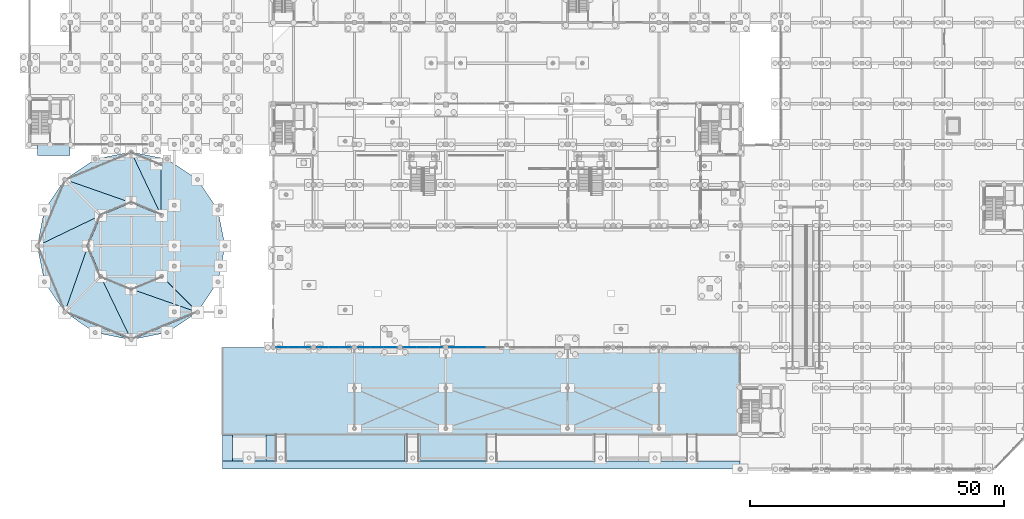
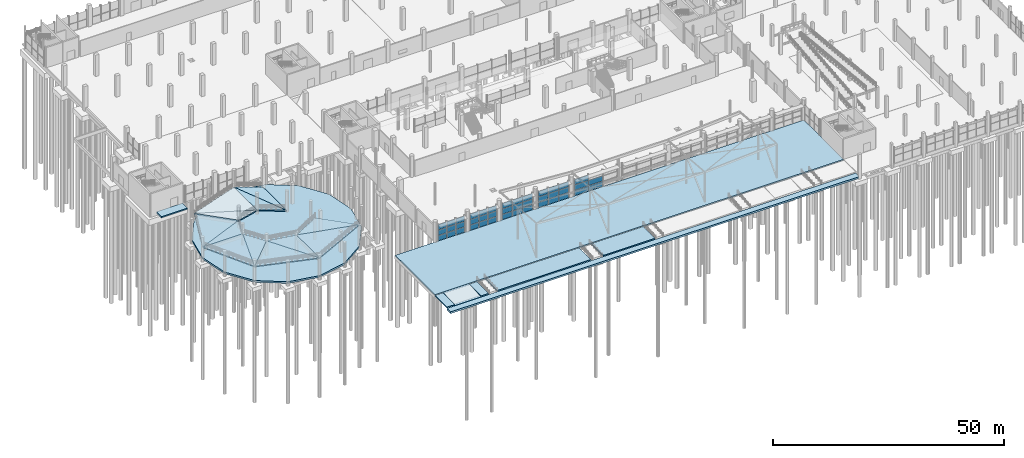
# One storey, part 64 of 98: 41 plates, 21 slabs, 5 elements without a shape of their own.
"""IFC4 building model written with IfcOpenShell, lengths in metres."""

import ifcopenshell
import ifcopenshell.guid

model = None  # the IFC model being written
_history = None  # IfcOwnerHistory: only IFC2X3 demands one
_inside = {}  # id of a spatial element -> (the spatial element, [elements in it])
_under = {}  # id of a project, library or spatial element -> (it, [spatial elements below it])
_declared = {}  # id of a project -> (the project, [libraries it declares])
_typed = {}  # id of a type object -> (the type object, [elements of that type])
_made_of = {}  # id of a material, layer set ... -> (it, [elements and type objects made of it])


def new_model(schema):
    """Start an empty IFC model of exactly this schema.

    Asked for "IFC4X3", IfcOpenShell would pick the latest addendum, in which some entities
    have other attributes; the version numbers below select the first issue.
    IFC2X3 requires an IfcOwnerHistory on every rooted entity: one is made here for all.
    """
    global model, _history
    if schema == "IFC4X3":
        model = ifcopenshell.file(schema_version=(4, 3, 0, 0))
    else:
        model = ifcopenshell.file(schema=schema)
    _inside.clear()
    _under.clear()
    _declared.clear()
    _typed.clear()
    _made_of.clear()
    _history = None
    if model.schema == "IFC2X3":
        org = make("IfcOrganization", Name="unknown")
        user = make(
            "IfcPersonAndOrganization",
            ThePerson=make("IfcPerson", FamilyName="unknown"),
            TheOrganization=org,
        )
        app = make(
            "IfcApplication",
            ApplicationDeveloper=org,
            Version="unknown",
            ApplicationFullName="unknown",
            ApplicationIdentifier="unknown",
        )
        _history = make(
            "IfcOwnerHistory",
            OwningUser=user,
            OwningApplication=app,
            ChangeAction="ADDED",
            CreationDate=0,
        )
    return model


def make(cls, **values):
    """One entity of the class cls with the attributes given. An attribute that is None is left unset."""
    return model.create_entity(
        cls, **{name: value for name, value in values.items() if value is not None}
    )


def rooted(cls, **values):
    """An entity with a GlobalId (a new one), such as an element, a storey or a relation."""
    return make(cls, GlobalId=ifcopenshell.guid.new(), OwnerHistory=_history, **values)


def si_unit(unit_type, name, prefix=None):
    """IfcSIUnit, for example si_unit("LENGTHUNIT", "METRE", prefix="MILLI")."""
    return make("IfcSIUnit", UnitType=unit_type, Prefix=prefix, Name=name)


def derived_unit(unit_type, elements):
    """IfcDerivedUnit: a product of units, each with its exponent."""
    return make(
        "IfcDerivedUnit",
        Elements=[
            make("IfcDerivedUnitElement", Unit=unit, Exponent=power)
            for unit, power in elements
        ],
        UnitType=unit_type,
    )


def assignment(units):
    """IfcUnitAssignment: the units of a project."""
    return None if units is None else make("IfcUnitAssignment", Units=units)


def point(xyz):
    """IfcCartesianPoint."""
    return None if xyz is None else make("IfcCartesianPoint", Coordinates=xyz)


def direction(xyz):
    """IfcDirection."""
    return None if xyz is None else make("IfcDirection", DirectionRatios=xyz)


def frame(location, z_axis=None, x_axis=None):
    """IfcAxis2Placement3D, a coordinate frame: its origin and axes. An axis left out is left unset."""
    return make(
        "IfcAxis2Placement3D",
        Location=point(location),
        Axis=direction(z_axis),
        RefDirection=direction(x_axis),
    )


def frame_2d(location, x_axis=None):
    """IfcAxis2Placement2D, a coordinate frame in the plane: its origin and x axis."""
    return make(
        "IfcAxis2Placement2D", Location=point(location), RefDirection=direction(x_axis)
    )


def origin():
    """The frame at (0, 0, 0) with its axes left unset."""
    return frame((0.0, 0.0, 0.0))


def origin_2d():
    """The frame at (0, 0) in the plane with its x axis left unset."""
    return frame_2d((0.0, 0.0))


def place(relative_to, where):
    """IfcLocalPlacement: puts the frame where relative to a parent placement (None: the world)."""
    return make(
        "IfcLocalPlacement", PlacementRelTo=relative_to, RelativePlacement=where
    )


def context(
    kind, dimensions, precision=None, world=None, true_north=None, identifier=None
):
    """IfcGeometricRepresentationContext, for example the 3D "Model" context."""
    return make(
        "IfcGeometricRepresentationContext",
        ContextIdentifier=identifier,
        ContextType=kind,
        CoordinateSpaceDimension=dimensions,
        Precision=precision,
        WorldCoordinateSystem=world,
        TrueNorth=true_north,
    )


def subcontext(parent, identifier, kind, view, scale=None):
    """IfcGeometricRepresentationSubContext, for example "Body" below "Model"."""
    return make(
        "IfcGeometricRepresentationSubContext",
        ContextIdentifier=identifier,
        ContextType=kind,
        ParentContext=parent,
        TargetScale=scale,
        TargetView=view,
    )


def project(units=None, contexts=None):
    """IfcProject with its units and contexts."""
    return rooted(
        "IfcProject",
        Name="project",
        RepresentationContexts=contexts,
        UnitsInContext=assignment(units),
    )


def spatial(cls, under=None, at=None, **own):
    """A site, building, storey or space (cls), placed at a placement, below another one or the project."""
    s = rooted(cls, ObjectPlacement=at, **own)
    if under is not None:
        _under.setdefault(under.id(), (under, []))[1].append(s)
    return s


def polyline(points):
    """IfcPolyline through the points."""
    return make("IfcPolyline", Points=[point(p) for p in points])


def profile(cls, at=None, kind="AREA", **sizes):
    """A parametric profile (cls). Its sizes go by their IFC names, for example OverallWidth=200.0."""
    return make(cls, ProfileType=kind, Position=at, **sizes)


def rectangle(**sizes):
    """IfcRectangleProfileDef."""
    return profile("IfcRectangleProfileDef", **sizes)


def outline(outer, holes=None, kind="AREA"):
    """IfcArbitraryClosedProfileDef: a profile drawn as a closed curve; with holes, ...WithVoids."""
    if holes is None:
        return make("IfcArbitraryClosedProfileDef", ProfileType=kind, OuterCurve=outer)
    return make(
        "IfcArbitraryProfileDefWithVoids",
        ProfileType=kind,
        OuterCurve=outer,
        InnerCurves=holes,
    )


def extrude(swept, where, along, depth):
    """IfcExtrudedAreaSolid: the profile swept, set in the frame where, extruded along a direction by depth."""
    return make(
        "IfcExtrudedAreaSolid",
        SweptArea=swept,
        Position=where,
        ExtrudedDirection=direction(along),
        Depth=depth,
    )


def shape(context_of_items, identifier, shape_type, items):
    """IfcShapeRepresentation: the items that make up one representation, for example the "Body"."""
    return make(
        "IfcShapeRepresentation",
        ContextOfItems=context_of_items,
        RepresentationIdentifier=identifier,
        RepresentationType=shape_type,
        Items=items,
    )


def material(Name=None, Category=None):
    """IfcMaterial."""
    return make("IfcMaterial", Name=Name, Category=Category)


def layer(
    of_material, thickness, ventilated=None, Name=None, Category=None, Priority=None
):
    """IfcMaterialLayer: one layer of a wall or slab, of a material (None: an air gap)."""
    return make(
        "IfcMaterialLayer",
        Material=of_material,
        LayerThickness=thickness,
        IsVentilated=ventilated,
        Name=Name,
        Category=Category,
        Priority=Priority,
    )


def layer_set(layers, Name=None):
    """IfcMaterialLayerSet."""
    return make("IfcMaterialLayerSet", MaterialLayers=layers, LayerSetName=Name)


def made_of(thing, what):
    """Note that an element or type object is made of a material, layer set ...; save() writes the relation."""
    if what is not None:
        _made_of.setdefault(what.id(), (what, []))[1].append(thing)
    return thing


def type_object(cls, material=None, **own):
    """A type object (cls), such as IfcWallType, which elements share."""
    return made_of(rooted(cls, **own), material)


def element(
    cls,
    number,
    at=None,
    inside=None,
    cuts=None,
    type_object=None,
    material=None,
    context=None,
    identifier="Body",
    shape_type=None,
    held_by="IfcProductDefinitionShape",
    body=None,
    shapes=None,
    **own,
):
    """One element of the class cls, such as IfcWall. Its Tag is "e" and its number.

    at: its placement. inside: the storey or other place that contains it. cuts: it is an
    opening in that element (IfcRelVoidsElement). A single representation is given by context,
    identifier, shape_type and body (its items); several are given by shapes. held_by: the class
    of the entity that holds the representations. save() writes the other relations.
    """
    e = rooted(cls, Tag="e%d" % number, ObjectPlacement=at, **own)
    if body is not None:
        shapes = [shape(context, identifier, shape_type, body)]
    if shapes is not None:
        e.Representation = make(held_by, Representations=shapes)
    if inside is not None:
        _inside.setdefault(inside.id(), (inside, []))[1].append(e)
    if cuts is not None:
        rooted(
            "IfcRelVoidsElement", RelatingBuildingElement=cuts, RelatedOpeningElement=e
        )
    if type_object is not None:
        _typed.setdefault(type_object.id(), (type_object, []))[1].append(e)
    return made_of(e, material)


def aggregate(whole, parts):
    """IfcRelAggregates: a whole, such as a stair, and the parts it consists of."""
    return rooted("IfcRelAggregates", RelatingObject=whole, RelatedObjects=parts)


def save(model, path):
    """Write the relations noted so far, then the file.

    IfcRelAggregates (storeys below a building ...), IfcRelContainedInSpatialStructure (elements
    in a storey), IfcRelDefinesByType, IfcRelAssociatesMaterial and IfcRelDeclares: one each for
    every whole, place, type object, material and project.
    """
    for whole, parts in _under.values():
        aggregate(whole, parts)
    for where, things in _inside.values():
        rooted(
            "IfcRelContainedInSpatialStructure",
            RelatedElements=things,
            RelatingStructure=where,
        )
    for kind, things in _typed.values():
        rooted("IfcRelDefinesByType", RelatedObjects=things, RelatingType=kind)
    for what, things in _made_of.values():
        rooted("IfcRelAssociatesMaterial", RelatedObjects=things, RelatingMaterial=what)
    for by, libraries in _declared.values():
        rooted("IfcRelDeclares", RelatingContext=by, RelatedDefinitions=libraries)
    model.write(path)


model = new_model("IFC4")

# Units and contexts
model_context = context("Model", 3, precision=1e-05, world=origin(), true_north=direction((0.0, 1.0)))
body_context = subcontext(model_context, "Body", "Model", "MODEL_VIEW")
ifc_project = project(units=[si_unit("LENGTHUNIT", "METRE"), si_unit("AREAUNIT", "SQUARE_METRE"), si_unit("VOLUMEUNIT", "CUBIC_METRE"), si_unit("PLANEANGLEUNIT", "RADIAN"), si_unit("MASSUNIT", "GRAM", prefix="KILO"), si_unit("THERMODYNAMICTEMPERATUREUNIT", "KELVIN"), derived_unit("THERMALTRANSMITTANCEUNIT", [(si_unit("POWERUNIT", "WATT"), 1), (si_unit("AREAUNIT", "SQUARE_METRE"), -1), (si_unit("THERMODYNAMICTEMPERATUREUNIT", "KELVIN"), -1)])], contexts=[model_context])

# Site, building, storey
site_placement = place(None, origin())
site = spatial("IfcSite", under=ifc_project, at=site_placement, CompositionType="ELEMENT")
building_placement = place(site_placement, origin())
building = spatial("IfcBuilding", under=site, at=building_placement, Name="Haiyu Intermodal Mobility Hub", CompositionType="ELEMENT")
storey_placement = place(building_placement, origin())
storey = spatial("IfcBuildingStorey", under=building, at=storey_placement, Name="L00", CompositionType="ELEMENT", Elevation=0.0)

# Curtain wall, plates
ifc_material_1 = material(Name="Low-e laminated insulating glass", Category="glass")
ifc_layer_1 = layer(ifc_material_1, 0.219970703125)
ifc_layer_set_1 = layer_set([ifc_layer_1], Name="Low-e laminated insulating glass")
curtain_wall_type = type_object("IfcCurtainWallType", Name="CW-CW01", PredefinedType="NOTDEFINED", material=ifc_layer_set_1)
curtain_wall_1_placement = place(storey_placement, origin())
curtain_wall_1 = element("IfcCurtainWall", 1, at=curtain_wall_1_placement, inside=storey, type_object=curtain_wall_type, Name="Curtain Wall CW-V1S-L00-001", PredefinedType="NOTDEFINED")
ifc_layer_2 = layer(ifc_material_1, 0.035888671875)
ifc_layer_set_2 = layer_set([ifc_layer_2], Name="Low-e laminated insulating glass")
plate_type_1 = type_object("IfcPlateType", Name="PLT-CP01", PredefinedType="CURTAIN_PANEL", material=ifc_layer_set_2)
plate_1_placement = place(storey_placement, frame((63.77294921875, 40.0, 0.03515625), z_axis=(0.0, 0.0, 1.0), x_axis=(1.0, 0.0, 0.0)))
plate_1 = element("IfcPlate", 2, at=plate_1_placement, type_object=plate_type_1, Name="CW-V1S-L00-001-PN01", PredefinedType="CURTAIN_PANEL", context=body_context, shape_type="SweptSolid", body=[
    extrude(rectangle(XDim=2.136962890625, YDim=0.035888671875, at=origin_2d()), origin(), (0.0, 0.0, 1.0), 1.3798828125),
])
plate_2_placement = place(storey_placement, frame((63.77294921875, 40.0, 1.485107421875), z_axis=(0.0, 0.0, 1.0), x_axis=(1.0, 0.0, 0.0)))
plate_2 = element("IfcPlate", 3, at=plate_2_placement, type_object=plate_type_1, Name="CW-V1S-L00-001-PN02", PredefinedType="CURTAIN_PANEL", context=body_context, shape_type="SweptSolid", body=[
    extrude(rectangle(XDim=2.136962890625, YDim=0.035888671875, at=origin_2d()), origin(), (0.0, 0.0, 1.0), 1.3798828125),
])
plate_3_placement = place(storey_placement, frame((66.0, 40.0, 0.03515625), z_axis=(0.0, 0.0, 1.0), x_axis=(1.0, 0.0, 0.0)))
plate_3 = element("IfcPlate", 4, at=plate_3_placement, type_object=plate_type_1, Name="CW-V1S-L00-001-PN04", PredefinedType="CURTAIN_PANEL", context=body_context, shape_type="SweptSolid", body=[
    extrude(rectangle(XDim=2.136962890625, YDim=0.035888671875, at=origin_2d()), origin(), (0.0, 0.0, 1.0), 1.3798828125),
])
plate_4_placement = place(storey_placement, frame((66.0, 40.0, 1.485107421875), z_axis=(0.0, 0.0, 1.0), x_axis=(1.0, 0.0, 0.0)))
plate_4 = element("IfcPlate", 5, at=plate_4_placement, type_object=plate_type_1, Name="CW-V1S-L00-001-PN05", PredefinedType="CURTAIN_PANEL", context=body_context, shape_type="SweptSolid", body=[
    extrude(rectangle(XDim=2.136962890625, YDim=0.035888671875, at=origin_2d()), origin(), (0.0, 0.0, 1.0), 1.3798828125),
])
plate_5_placement = place(storey_placement, frame((68.22705078125, 40.0, 0.03515625), z_axis=(0.0, 0.0, 1.0), x_axis=(1.0, 0.0, 0.0)))
plate_5 = element("IfcPlate", 6, at=plate_5_placement, type_object=plate_type_1, Name="CW-V1S-L00-001-PN07", PredefinedType="CURTAIN_PANEL", context=body_context, shape_type="SweptSolid", body=[
    extrude(rectangle(XDim=2.136962890625, YDim=0.035888671875, at=origin_2d()), origin(), (0.0, 0.0, 1.0), 1.3798828125),
])
plate_6_placement = place(storey_placement, frame((68.22705078125, 40.0, 1.485107421875), z_axis=(0.0, 0.0, 1.0), x_axis=(1.0, 0.0, 0.0)))
plate_6 = element("IfcPlate", 7, at=plate_6_placement, type_object=plate_type_1, Name="CW-V1S-L00-001-PN08", PredefinedType="CURTAIN_PANEL", context=body_context, shape_type="SweptSolid", body=[
    extrude(rectangle(XDim=2.136962890625, YDim=0.035888671875, at=origin_2d()), origin(), (0.0, 0.0, 1.0), 1.3798828125),
])

curtain_wall_2_placement = place(storey_placement, origin())
curtain_wall_2 = element("IfcCurtainWall", 8, at=curtain_wall_2_placement, inside=storey, type_object=curtain_wall_type, Name="Curtain Wall CW-V1S-L00-003", PredefinedType="NOTDEFINED")
plate_7_placement = place(storey_placement, frame((71.77294921875, 40.0, 0.03515625), z_axis=(0.0, 0.0, 1.0), x_axis=(1.0, 0.0, 0.0)))
plate_7 = element("IfcPlate", 9, at=plate_7_placement, type_object=plate_type_1, Name="CW-V1S-L00-003-PN01", PredefinedType="CURTAIN_PANEL", context=body_context, shape_type="SweptSolid", body=[
    extrude(rectangle(XDim=2.136962890625, YDim=0.035888671875, at=origin_2d()), origin(), (0.0, 0.0, 1.0), 1.3798828125),
])
plate_8_placement = place(storey_placement, frame((71.77294921875, 40.0, 1.485107421875), z_axis=(0.0, 0.0, 1.0), x_axis=(1.0, 0.0, 0.0)))
plate_8 = element("IfcPlate", 10, at=plate_8_placement, type_object=plate_type_1, Name="CW-V1S-L00-003-PN02", PredefinedType="CURTAIN_PANEL", context=body_context, shape_type="SweptSolid", body=[
    extrude(rectangle(XDim=2.136962890625, YDim=0.035888671875, at=origin_2d()), origin(), (0.0, 0.0, 1.0), 1.3798828125),
])
plate_9_placement = place(storey_placement, frame((74.0, 40.0, 0.03515625), z_axis=(0.0, 0.0, 1.0), x_axis=(1.0, 0.0, 0.0)))
plate_9 = element("IfcPlate", 11, at=plate_9_placement, type_object=plate_type_1, Name="CW-V1S-L00-003-PN04", PredefinedType="CURTAIN_PANEL", context=body_context, shape_type="SweptSolid", body=[
    extrude(rectangle(XDim=2.136962890625, YDim=0.035888671875, at=origin_2d()), origin(), (0.0, 0.0, 1.0), 1.3798828125),
])
plate_10_placement = place(storey_placement, frame((74.0, 40.0, 1.485107421875), z_axis=(0.0, 0.0, 1.0), x_axis=(1.0, 0.0, 0.0)))
plate_10 = element("IfcPlate", 12, at=plate_10_placement, type_object=plate_type_1, Name="CW-V1S-L00-003-PN05", PredefinedType="CURTAIN_PANEL", context=body_context, shape_type="SweptSolid", body=[
    extrude(rectangle(XDim=2.136962890625, YDim=0.035888671875, at=origin_2d()), origin(), (0.0, 0.0, 1.0), 1.3798828125),
])
plate_11_placement = place(storey_placement, frame((76.22705078125, 40.0, 0.03515625), z_axis=(0.0, 0.0, 1.0), x_axis=(1.0, 0.0, 0.0)))
plate_11 = element("IfcPlate", 13, at=plate_11_placement, type_object=plate_type_1, Name="CW-V1S-L00-003-PN07", PredefinedType="CURTAIN_PANEL", context=body_context, shape_type="SweptSolid", body=[
    extrude(rectangle(XDim=2.136962890625, YDim=0.035888671875, at=origin_2d()), origin(), (0.0, 0.0, 1.0), 1.3798828125),
])
plate_12_placement = place(storey_placement, frame((76.22705078125, 40.0, 1.485107421875), z_axis=(0.0, 0.0, 1.0), x_axis=(1.0, 0.0, 0.0)))
plate_12 = element("IfcPlate", 14, at=plate_12_placement, type_object=plate_type_1, Name="CW-V1S-L00-003-PN08", PredefinedType="CURTAIN_PANEL", context=body_context, shape_type="SweptSolid", body=[
    extrude(rectangle(XDim=2.136962890625, YDim=0.035888671875, at=origin_2d()), origin(), (0.0, 0.0, 1.0), 1.3798828125),
])

curtain_wall_3_placement = place(storey_placement, origin())
curtain_wall_3 = element("IfcCurtainWall", 15, at=curtain_wall_3_placement, inside=storey, type_object=curtain_wall_type, Name="Curtain Wall CW-V1S-L00-005", PredefinedType="NOTDEFINED")
plate_13_placement = place(storey_placement, frame((79.93994140625, 40.0, 0.03515625), z_axis=(0.0, 0.0, 1.0), x_axis=(1.0, 0.0, 0.0)))
plate_13 = element("IfcPlate", 16, at=plate_13_placement, type_object=plate_type_1, Name="CW-V1S-L00-005-PN01", PredefinedType="CURTAIN_PANEL", context=body_context, shape_type="SweptSolid", body=[
    extrude(rectangle(XDim=2.469970703125, YDim=0.035888671875, at=origin_2d()), origin(), (0.0, 0.0, 1.0), 1.3798828125),
])
plate_14_placement = place(storey_placement, frame((79.93994140625, 40.0, 1.485107421875), z_axis=(0.0, 0.0, 1.0), x_axis=(1.0, 0.0, 0.0)))
plate_14 = element("IfcPlate", 17, at=plate_14_placement, type_object=plate_type_1, Name="CW-V1S-L00-005-PN02", PredefinedType="CURTAIN_PANEL", context=body_context, shape_type="SweptSolid", body=[
    extrude(rectangle(XDim=2.469970703125, YDim=0.035888671875, at=origin_2d()), origin(), (0.0, 0.0, 1.0), 1.3798828125),
])
plate_15_placement = place(storey_placement, frame((82.5, 40.0, 0.03515625), z_axis=(0.0, 0.0, 1.0), x_axis=(1.0, 0.0, 0.0)))
plate_15 = element("IfcPlate", 18, at=plate_15_placement, type_object=plate_type_1, Name="CW-V1S-L00-005-PN04", PredefinedType="CURTAIN_PANEL", context=body_context, shape_type="SweptSolid", body=[
    extrude(rectangle(XDim=2.469970703125, YDim=0.035888671875, at=origin_2d()), origin(), (0.0, 0.0, 1.0), 1.3798828125),
])
plate_16_placement = place(storey_placement, frame((82.5, 40.0, 1.485107421875), z_axis=(0.0, 0.0, 1.0), x_axis=(1.0, 0.0, 0.0)))
plate_16 = element("IfcPlate", 19, at=plate_16_placement, type_object=plate_type_1, Name="CW-V1S-L00-005-PN05", PredefinedType="CURTAIN_PANEL", context=body_context, shape_type="SweptSolid", body=[
    extrude(rectangle(XDim=2.469970703125, YDim=0.035888671875, at=origin_2d()), origin(), (0.0, 0.0, 1.0), 1.3798828125),
])
plate_17_placement = place(storey_placement, frame((85.06005859375, 40.0, 0.03515625), z_axis=(0.0, 0.0, 1.0), x_axis=(1.0, 0.0, 0.0)))
plate_17 = element("IfcPlate", 20, at=plate_17_placement, type_object=plate_type_1, Name="CW-V1S-L00-005-PN07", PredefinedType="CURTAIN_PANEL", context=body_context, shape_type="SweptSolid", body=[
    extrude(rectangle(XDim=2.469970703125, YDim=0.035888671875, at=origin_2d()), origin(), (0.0, 0.0, 1.0), 1.3798828125),
])
plate_18_placement = place(storey_placement, frame((85.06005859375, 40.0, 1.485107421875), z_axis=(0.0, 0.0, 1.0), x_axis=(1.0, 0.0, 0.0)))
plate_18 = element("IfcPlate", 21, at=plate_18_placement, type_object=plate_type_1, Name="CW-V1S-L00-005-PN08", PredefinedType="CURTAIN_PANEL", context=body_context, shape_type="SweptSolid", body=[
    extrude(rectangle(XDim=2.469970703125, YDim=0.035888671875, at=origin_2d()), origin(), (0.0, 0.0, 1.0), 1.3798828125),
])

curtain_wall_4_placement = place(storey_placement, origin())
curtain_wall_4 = element("IfcCurtainWall", 22, at=curtain_wall_4_placement, inside=storey, type_object=curtain_wall_type, Name="Curtain Wall CW-V1S-L00-007", PredefinedType="NOTDEFINED")
plate_19_placement = place(storey_placement, frame((88.93994140625, 40.0, 0.03515625), z_axis=(0.0, 0.0, 1.0), x_axis=(1.0, 0.0, 0.0)))
plate_19 = element("IfcPlate", 23, at=plate_19_placement, type_object=plate_type_1, Name="CW-V1S-L00-007-PN01", PredefinedType="CURTAIN_PANEL", context=body_context, shape_type="SweptSolid", body=[
    extrude(rectangle(XDim=2.469970703125, YDim=0.035888671875, at=origin_2d()), origin(), (0.0, 0.0, 1.0), 1.3798828125),
])
plate_20_placement = place(storey_placement, frame((88.93994140625, 40.0, 1.485107421875), z_axis=(0.0, 0.0, 1.0), x_axis=(1.0, 0.0, 0.0)))
plate_20 = element("IfcPlate", 24, at=plate_20_placement, type_object=plate_type_1, Name="CW-V1S-L00-007-PN02", PredefinedType="CURTAIN_PANEL", context=body_context, shape_type="SweptSolid", body=[
    extrude(rectangle(XDim=2.469970703125, YDim=0.035888671875, at=origin_2d()), origin(), (0.0, 0.0, 1.0), 1.3798828125),
])
plate_21_placement = place(storey_placement, frame((91.5, 40.0, 0.03515625), z_axis=(0.0, 0.0, 1.0), x_axis=(1.0, 0.0, 0.0)))
plate_21 = element("IfcPlate", 25, at=plate_21_placement, type_object=plate_type_1, Name="CW-V1S-L00-007-PN04", PredefinedType="CURTAIN_PANEL", context=body_context, shape_type="SweptSolid", body=[
    extrude(rectangle(XDim=2.469970703125, YDim=0.035888671875, at=origin_2d()), origin(), (0.0, 0.0, 1.0), 1.3798828125),
])
plate_22_placement = place(storey_placement, frame((91.5, 40.0, 1.485107421875), z_axis=(0.0, 0.0, 1.0), x_axis=(1.0, 0.0, 0.0)))
plate_22 = element("IfcPlate", 26, at=plate_22_placement, type_object=plate_type_1, Name="CW-V1S-L00-007-PN05", PredefinedType="CURTAIN_PANEL", context=body_context, shape_type="SweptSolid", body=[
    extrude(rectangle(XDim=2.469970703125, YDim=0.035888671875, at=origin_2d()), origin(), (0.0, 0.0, 1.0), 1.3798828125),
])
plate_23_placement = place(storey_placement, frame((94.06005859375, 40.0, 0.03515625), z_axis=(0.0, 0.0, 1.0), x_axis=(1.0, 0.0, 0.0)))
plate_23 = element("IfcPlate", 27, at=plate_23_placement, type_object=plate_type_1, Name="CW-V1S-L00-007-PN07", PredefinedType="CURTAIN_PANEL", context=body_context, shape_type="SweptSolid", body=[
    extrude(rectangle(XDim=2.469970703125, YDim=0.035888671875, at=origin_2d()), origin(), (0.0, 0.0, 1.0), 1.3798828125),
])
plate_24_placement = place(storey_placement, frame((94.06005859375, 40.0, 1.485107421875), z_axis=(0.0, 0.0, 1.0), x_axis=(1.0, 0.0, 0.0)))
plate_24 = element("IfcPlate", 28, at=plate_24_placement, type_object=plate_type_1, Name="CW-V1S-L00-007-PN08", PredefinedType="CURTAIN_PANEL", context=body_context, shape_type="SweptSolid", body=[
    extrude(rectangle(XDim=2.469970703125, YDim=0.035888671875, at=origin_2d()), origin(), (0.0, 0.0, 1.0), 1.3798828125),
])

curtain_wall_5_placement = place(storey_placement, origin())
curtain_wall_5 = element("IfcCurtainWall", 29, at=curtain_wall_5_placement, inside=storey, type_object=curtain_wall_type, Name="Curtain Wall CW-V1S-L00-009", PredefinedType="NOTDEFINED")
plate_25_placement = place(storey_placement, frame((98.43994140625, 40.0, 0.03515625), z_axis=(0.0, 0.0, 1.0), x_axis=(1.0, 0.0, 0.0)))
plate_25 = element("IfcPlate", 30, at=plate_25_placement, type_object=plate_type_1, Name="CW-V1S-L00-009-PN01", PredefinedType="CURTAIN_PANEL", context=body_context, shape_type="SweptSolid", body=[
    extrude(rectangle(XDim=3.469970703125, YDim=0.035888671875, at=origin_2d()), origin(), (0.0, 0.0, 1.0), 1.3798828125),
])
plate_26_placement = place(storey_placement, frame((98.43994140625, 40.0, 1.485107421875), z_axis=(0.0, 0.0, 1.0), x_axis=(1.0, 0.0, 0.0)))
plate_26 = element("IfcPlate", 31, at=plate_26_placement, type_object=plate_type_1, Name="CW-V1S-L00-009-PN02", PredefinedType="CURTAIN_PANEL", context=body_context, shape_type="SweptSolid", body=[
    extrude(rectangle(XDim=3.469970703125, YDim=0.035888671875, at=origin_2d()), origin(), (0.0, 0.0, 1.0), 1.3798828125),
])
plate_27_placement = place(storey_placement, frame((102.0, 40.0, 0.03515625), z_axis=(0.0, 0.0, 1.0), x_axis=(1.0, 0.0, 0.0)))
plate_27 = element("IfcPlate", 32, at=plate_27_placement, type_object=plate_type_1, Name="CW-V1S-L00-009-PN04", PredefinedType="CURTAIN_PANEL", context=body_context, shape_type="SweptSolid", body=[
    extrude(rectangle(XDim=3.469970703125, YDim=0.035888671875, at=origin_2d()), origin(), (0.0, 0.0, 1.0), 1.3798828125),
])
plate_28_placement = place(storey_placement, frame((102.0, 40.0, 1.485107421875), z_axis=(0.0, 0.0, 1.0), x_axis=(1.0, 0.0, 0.0)))
plate_28 = element("IfcPlate", 33, at=plate_28_placement, type_object=plate_type_1, Name="CW-V1S-L00-009-PN05", PredefinedType="CURTAIN_PANEL", context=body_context, shape_type="SweptSolid", body=[
    extrude(rectangle(XDim=3.469970703125, YDim=0.035888671875, at=origin_2d()), origin(), (0.0, 0.0, 1.0), 1.3798828125),
])

# Plate
ifc_layer_3 = layer(ifc_material_1, 0.0439453125)
ifc_layer_set_3 = layer_set([ifc_layer_3], Name="Low-e laminated insulating glass")
plate_type_2 = type_object("IfcPlateType", Name="PLT-CP04", PredefinedType="CURTAIN_PANEL", material=ifc_layer_set_3)
plate_29_placement = place(storey_placement, frame((63.77294921875, 40.0, 2.93505859375), z_axis=(0.0, 0.0, 1.0), x_axis=(1.0, 0.0, 0.0)))
plate_29 = element("IfcPlate", 34, at=plate_29_placement, type_object=plate_type_2, Name="CW-V1S-L00-001-PN03", PredefinedType="CURTAIN_PANEL", context=body_context, shape_type="SweptSolid", body=[
    extrude(rectangle(XDim=2.136962890625, YDim=0.0439453125, at=origin_2d()), origin(), (0.0, 0.0, 1.0), 1.3798828125),
])

plate_30_placement = place(storey_placement, frame((66.0, 40.0, 2.93505859375), z_axis=(0.0, 0.0, 1.0), x_axis=(1.0, 0.0, 0.0)))
plate_30 = element("IfcPlate", 35, at=plate_30_placement, type_object=plate_type_2, Name="CW-V1S-L00-001-PN06", PredefinedType="CURTAIN_PANEL", context=body_context, shape_type="SweptSolid", body=[
    extrude(rectangle(XDim=2.136962890625, YDim=0.0439453125, at=origin_2d()), origin(), (0.0, 0.0, 1.0), 1.3798828125),
])

plate_31_placement = place(storey_placement, frame((68.22705078125, 40.0, 2.93505859375), z_axis=(0.0, 0.0, 1.0), x_axis=(1.0, 0.0, 0.0)))
plate_31 = element("IfcPlate", 36, at=plate_31_placement, type_object=plate_type_2, Name="CW-V1S-L00-001-PN09", PredefinedType="CURTAIN_PANEL", context=body_context, shape_type="SweptSolid", body=[
    extrude(rectangle(XDim=2.136962890625, YDim=0.0439453125, at=origin_2d()), origin(), (0.0, 0.0, 1.0), 1.3798828125),
])

aggregate(curtain_wall_1, [plate_1, plate_2, plate_29, plate_3, plate_4, plate_30, plate_5, plate_6, plate_31])

plate_32_placement = place(storey_placement, frame((71.77294921875, 40.0, 2.93505859375), z_axis=(0.0, 0.0, 1.0), x_axis=(1.0, 0.0, 0.0)))
plate_32 = element("IfcPlate", 37, at=plate_32_placement, type_object=plate_type_2, Name="CW-V1S-L00-003-PN03", PredefinedType="CURTAIN_PANEL", context=body_context, shape_type="SweptSolid", body=[
    extrude(rectangle(XDim=2.136962890625, YDim=0.0439453125, at=origin_2d()), origin(), (0.0, 0.0, 1.0), 1.3798828125),
])

plate_33_placement = place(storey_placement, frame((74.0, 40.0, 2.93505859375), z_axis=(0.0, 0.0, 1.0), x_axis=(1.0, 0.0, 0.0)))
plate_33 = element("IfcPlate", 38, at=plate_33_placement, type_object=plate_type_2, Name="CW-V1S-L00-003-PN06", PredefinedType="CURTAIN_PANEL", context=body_context, shape_type="SweptSolid", body=[
    extrude(rectangle(XDim=2.136962890625, YDim=0.0439453125, at=origin_2d()), origin(), (0.0, 0.0, 1.0), 1.3798828125),
])

plate_34_placement = place(storey_placement, frame((76.22705078125, 40.0, 2.93505859375), z_axis=(0.0, 0.0, 1.0), x_axis=(1.0, 0.0, 0.0)))
plate_34 = element("IfcPlate", 39, at=plate_34_placement, type_object=plate_type_2, Name="CW-V1S-L00-003-PN09", PredefinedType="CURTAIN_PANEL", context=body_context, shape_type="SweptSolid", body=[
    extrude(rectangle(XDim=2.136962890625, YDim=0.0439453125, at=origin_2d()), origin(), (0.0, 0.0, 1.0), 1.3798828125),
])

aggregate(curtain_wall_2, [plate_7, plate_8, plate_32, plate_9, plate_10, plate_33, plate_11, plate_12, plate_34])

plate_35_placement = place(storey_placement, frame((79.93994140625, 40.0, 2.93505859375), z_axis=(0.0, 0.0, 1.0), x_axis=(1.0, 0.0, 0.0)))
plate_35 = element("IfcPlate", 40, at=plate_35_placement, type_object=plate_type_2, Name="CW-V1S-L00-005-PN03", PredefinedType="CURTAIN_PANEL", context=body_context, shape_type="SweptSolid", body=[
    extrude(rectangle(XDim=2.469970703125, YDim=0.0439453125, at=origin_2d()), origin(), (0.0, 0.0, 1.0), 1.3798828125),
])

plate_36_placement = place(storey_placement, frame((82.5, 40.0, 2.93505859375), z_axis=(0.0, 0.0, 1.0), x_axis=(1.0, 0.0, 0.0)))
plate_36 = element("IfcPlate", 41, at=plate_36_placement, type_object=plate_type_2, Name="CW-V1S-L00-005-PN06", PredefinedType="CURTAIN_PANEL", context=body_context, shape_type="SweptSolid", body=[
    extrude(rectangle(XDim=2.469970703125, YDim=0.0439453125, at=origin_2d()), origin(), (0.0, 0.0, 1.0), 1.3798828125),
])

plate_37_placement = place(storey_placement, frame((85.06005859375, 40.0, 2.93505859375), z_axis=(0.0, 0.0, 1.0), x_axis=(1.0, 0.0, 0.0)))
plate_37 = element("IfcPlate", 42, at=plate_37_placement, type_object=plate_type_2, Name="CW-V1S-L00-005-PN09", PredefinedType="CURTAIN_PANEL", context=body_context, shape_type="SweptSolid", body=[
    extrude(rectangle(XDim=2.469970703125, YDim=0.0439453125, at=origin_2d()), origin(), (0.0, 0.0, 1.0), 1.3798828125),
])

aggregate(curtain_wall_3, [plate_13, plate_14, plate_35, plate_15, plate_16, plate_36, plate_17, plate_18, plate_37])

plate_38_placement = place(storey_placement, frame((88.93994140625, 40.0, 2.93505859375), z_axis=(0.0, 0.0, 1.0), x_axis=(1.0, 0.0, 0.0)))
plate_38 = element("IfcPlate", 43, at=plate_38_placement, type_object=plate_type_2, Name="CW-V1S-L00-007-PN03", PredefinedType="CURTAIN_PANEL", context=body_context, shape_type="SweptSolid", body=[
    extrude(rectangle(XDim=2.469970703125, YDim=0.0439453125, at=origin_2d()), origin(), (0.0, 0.0, 1.0), 1.3798828125),
])

plate_39_placement = place(storey_placement, frame((91.5, 40.0, 2.93505859375), z_axis=(0.0, 0.0, 1.0), x_axis=(1.0, 0.0, 0.0)))
plate_39 = element("IfcPlate", 44, at=plate_39_placement, type_object=plate_type_2, Name="CW-V1S-L00-007-PN06", PredefinedType="CURTAIN_PANEL", context=body_context, shape_type="SweptSolid", body=[
    extrude(rectangle(XDim=2.469970703125, YDim=0.0439453125, at=origin_2d()), origin(), (0.0, 0.0, 1.0), 1.3798828125),
])

plate_40_placement = place(storey_placement, frame((94.06005859375, 40.0, 2.93505859375), z_axis=(0.0, 0.0, 1.0), x_axis=(1.0, 0.0, 0.0)))
plate_40 = element("IfcPlate", 45, at=plate_40_placement, type_object=plate_type_2, Name="CW-V1S-L00-007-PN09", PredefinedType="CURTAIN_PANEL", context=body_context, shape_type="SweptSolid", body=[
    extrude(rectangle(XDim=2.469970703125, YDim=0.0439453125, at=origin_2d()), origin(), (0.0, 0.0, 1.0), 1.3798828125),
])

aggregate(curtain_wall_4, [plate_19, plate_20, plate_38, plate_21, plate_22, plate_39, plate_23, plate_24, plate_40])

plate_41_placement = place(storey_placement, frame((98.43994140625, 40.0, 2.93505859375), z_axis=(0.0, 0.0, 1.0), x_axis=(1.0, 0.0, 0.0)))
plate_41 = element("IfcPlate", 46, at=plate_41_placement, type_object=plate_type_2, Name="CW-V1S-L00-009-PN03", PredefinedType="CURTAIN_PANEL", context=body_context, shape_type="SweptSolid", body=[
    extrude(rectangle(XDim=3.469970703125, YDim=0.0439453125, at=origin_2d()), origin(), (0.0, 0.0, 1.0), 1.3798828125),
])

aggregate(curtain_wall_5, [plate_25, plate_26, plate_41, plate_27, plate_28])

# Slabs
ifc_material_2 = material(Name="Concrete C40", Category="concrete")
ifc_layer_4 = layer(ifc_material_2, 0.449951171875)
ifc_layer_set_4 = layer_set([ifc_layer_4], Name="Concrete C40")
slab_type_1 = type_object("IfcSlabType", Name="SLB-SL01", PredefinedType="BASESLAB", material=ifc_layer_set_4)
slab_1_placement = place(storey_placement, frame((0.0, 0.0, -0.449951171875)))
element("IfcSlab", 47, at=slab_1_placement, inside=storey, type_object=slab_type_1, Name="L00 Helical Ramp Drum Base Slab", PredefinedType="BASESLAB", context=body_context, shape_type="SweptSolid", body=[
    extrude(outline(polyline([(52.5, 60.0), (51.092041015625, 67.080078125), (47.0810546875, 73.0810546875), (41.080078125, 77.092041015625), (34.0, 78.5), (26.919921875, 77.092041015625), (20.9189453125, 73.0810546875), (16.907958984375, 67.080078125), (15.5, 60.0), (16.907958984375, 52.919921875), (20.9189453125, 46.9189453125), (26.919921875, 42.907958984375), (34.0, 41.5), (41.080078125, 42.907958984375), (47.0810546875, 46.9189453125), (51.092041015625, 52.919921875), (52.5, 60.0)])), origin(), (0.0, 0.0, 1.0), 0.449951171875),
])
ifc_layer_5 = layer(ifc_material_2, 0.320068359375)
ifc_layer_set_5 = layer_set([ifc_layer_5], Name="Concrete C40")
slab_type_2 = type_object("IfcSlabType", Name="SLB-SL03", PredefinedType="BASESLAB", material=ifc_layer_set_5)
slab_2_placement = place(storey_placement, frame((0.0, 0.0, -0.320068359375)))
element("IfcSlab", 48, at=slab_2_placement, inside=storey, type_object=slab_type_2, Name="South Boulevard Forecourt Plinth Plaza", PredefinedType="BASESLAB", context=body_context, shape_type="SweptSolid", body=[
    extrude(outline(polyline([(52.0, 22.800048828125), (153.97998046875, 22.800048828125), (153.97998046875, 39.9599609375), (52.0, 39.9599609375), (52.0, 22.800048828125)])), origin(), (0.0, 0.0, 1.0), 0.320068359375),
])
ifc_layer_6 = layer(ifc_material_2, 0.18994140625)
ifc_layer_set_6 = layer_set([ifc_layer_6], Name="Concrete C40")
slab_type_3 = type_object("IfcSlabType", Name="SLB-SL15", PredefinedType="LANDING", material=ifc_layer_set_6)
slab_3_placement = place(storey_placement, frame((0.0, 0.0, -0.320068359375)))
element("IfcSlab", 49, at=slab_3_placement, inside=storey, type_object=slab_type_3, Name="West Core C7 Exterior Exit Plinth Apron", PredefinedType="LANDING", context=body_context, shape_type="SweptSolid", body=[
    extrude(outline(polyline([(15.5, 77.800048828125), (21.97998046875, 77.800048828125), (21.97998046875, 79.97998046875), (15.5, 79.97998046875), (15.5, 77.800048828125)])), origin(), (0.0, 0.0, 1.0), 0.320068359375),
])
slab_4_placement = place(storey_placement, frame((0.0, 0.0, -0.89990234375)))
element("IfcSlab", 50, at=slab_4_placement, inside=storey, type_object=slab_type_3, Name="Boulevard Lower Terrace Plinth Apron", PredefinedType="LANDING", context=body_context, shape_type="SweptSolid", body=[
    extrude(outline(polyline([(52.0, 16.050048828125), (153.97998046875, 16.050048828125), (153.97998046875, 17.60009765625), (52.0, 17.60009765625), (52.0, 16.050048828125)])), origin(), (0.0, 0.0, 1.0), 0.449951171875),
])
slab_5_placement = place(storey_placement, frame((0.0, 0.0, -0.449951171875)))
element("IfcSlab", 51, at=slab_5_placement, inside=storey, type_object=slab_type_3, Name="Boulevard Stepped Plinth Terrace 01", PredefinedType="LANDING", context=body_context, shape_type="SweptSolid", body=[
    extrude(outline(polyline([(52.0, 17.639892578125), (53.949951171875, 17.639892578125), (53.949951171875, 22.760009765625), (52.0, 22.760009765625), (52.0, 17.639892578125)])), origin(), (0.0, 0.0, 1.0), 0.2900390625),
])
slab_6_placement = place(storey_placement, frame((0.0, 0.0, -0.449951171875)))
element("IfcSlab", 52, at=slab_6_placement, inside=storey, type_object=slab_type_3, Name="Boulevard Stepped Plinth Terrace 02", PredefinedType="LANDING", context=body_context, shape_type="SweptSolid", body=[
    extrude(outline(polyline([(60.550048828125, 17.639892578125), (62.449951171875, 17.639892578125), (62.449951171875, 22.760009765625), (60.550048828125, 22.760009765625), (60.550048828125, 17.639892578125)])), origin(), (0.0, 0.0, 1.0), 0.2900390625),
])
slab_7_placement = place(storey_placement, frame((0.0, 0.0, -0.449951171875)))
element("IfcSlab", 53, at=slab_7_placement, inside=storey, type_object=slab_type_3, Name="Boulevard Stepped Plinth Terrace 03", PredefinedType="LANDING", context=body_context, shape_type="SweptSolid", body=[
    extrude(outline(polyline([(64.550048828125, 17.639892578125), (87.949951171875, 17.639892578125), (87.949951171875, 22.760009765625), (64.550048828125, 22.760009765625), (64.550048828125, 17.639892578125)])), origin(), (0.0, 0.0, 1.0), 0.2900390625),
])
slab_8_placement = place(storey_placement, frame((0.0, 0.0, -0.449951171875)))
element("IfcSlab", 54, at=slab_8_placement, inside=storey, type_object=slab_type_3, Name="Boulevard Stepped Plinth Terrace 04", PredefinedType="LANDING", context=body_context, shape_type="SweptSolid", body=[
    extrude(outline(polyline([(91.050048828125, 17.639892578125), (103.949951171875, 17.639892578125), (103.949951171875, 22.760009765625), (91.050048828125, 22.760009765625), (91.050048828125, 17.639892578125)])), origin(), (0.0, 0.0, 1.0), 0.2900390625),
])
ifc_layer_7 = layer(ifc_material_2, 0.280029296875)
ifc_layer_set_7 = layer_set([ifc_layer_7], Name="Concrete C40")
slab_type_4 = type_object("IfcSlabType", Name="SLB-SL16", PredefinedType="USERDEFINED", material=ifc_layer_set_7)
slab_9_placement = place(storey_placement, frame((39.89990234375, 66.055908203125, 0.294921875), z_axis=(0.107541192003, 0.0, 0.994200629663), x_axis=(0.0, 1.0, 0.0)))
element("IfcSlab", 55, at=slab_9_placement, inside=storey, type_object=slab_type_4, Name="Structural Vehicle Ramp Slab L00-01-1", ObjectType="RAMP DECK", PredefinedType="USERDEFINED", context=body_context, shape_type="SweptSolid", body=[
    extrude(outline(polyline([(0.0, 0.0), (10.0, 0.0), (12.444091796875, 5.934317649495888), (0.0, 0.0)])), origin(), (0.0, 0.0, -1.0), 0.280029296875),
])
slab_10_placement = place(storey_placement, frame((39.89990234375, 66.055908203125, 0.294921875), z_axis=(0.107541192003, 0.0, 0.994200629663), x_axis=(-0.427943337007, 0.902619375593, 0.046289989363)))
element("IfcSlab", 56, at=slab_10_placement, inside=storey, type_object=slab_type_4, Name="Structural Vehicle Ramp Slab L00-01-2", ObjectType="RAMP DECK", PredefinedType="USERDEFINED", context=body_context, shape_type="SweptSolid", body=[
    extrude(outline(polyline([(0.0, 0.0), (13.786643776284716, 2.42861286636753e-16), (4.760450020353431, 4.304396157463564), (0.0, 0.0)])), origin(), (0.0, 0.0, -1.0), 0.280029296875),
])
slab_11_placement = place(storey_placement, frame((34.0, 68.5, 0.93310546875), z_axis=(0.071207360351, 0.0, 0.997461534011), x_axis=(0.0, 1.0, 0.0)))
element("IfcSlab", 57, at=slab_11_placement, inside=storey, type_object=slab_type_4, Name="Structural Vehicle Ramp Slab L00-02-1", ObjectType="RAMP DECK", PredefinedType="USERDEFINED", context=body_context, shape_type="SweptSolid", body=[
    extrude(outline(polyline([(0.0, 0.0), (10.0, 0.0), (4.5810546875, 13.114345006264424), (0.0, 0.0)])), origin(), (0.0, 0.0, -1.0), 0.280029296875),
])
slab_12_placement = place(storey_placement, frame((34.0, 68.5, 0.93310546875), z_axis=(0.108560772898, 0.108560772898, 0.988144279534), x_axis=(-0.94166296865, 0.329775362892, 0.067223980125)))
element("IfcSlab", 58, at=slab_12_placement, inside=storey, type_object=slab_type_4, Name="Structural Vehicle Ramp Slab L00-02-2", ObjectType="RAMP DECK", PredefinedType="USERDEFINED", context=body_context, shape_type="SweptSolid", body=[
    extrude(outline(polyline([(0.0, 0.0), (13.891440061894174, 5.551115123125783e-17), (4.9010425041721986, 4.378596159553332), (0.0, 0.0)])), origin(), (0.0, 0.0, -1.0), 0.280029296875),
])
slab_13_placement = place(storey_placement, frame((27.989990234375, 66.010009765625, 1.866943359375), z_axis=(0.050310306151, 0.050310306151, 0.99746566166), x_axis=(-0.707106781187, 0.707106781187, 0.0)))
element("IfcSlab", 59, at=slab_13_placement, inside=storey, type_object=slab_type_4, Name="Structural Vehicle Ramp Slab L00-03-1", ObjectType="RAMP DECK", PredefinedType="USERDEFINED", context=body_context, shape_type="SweptSolid", body=[
    extrude(outline(polyline([(0.0, 0.0), (9.999967628665027, 0.0), (4.582038131409509, 13.11471257084238), (0.0, 0.0)])), origin(), (0.0, 0.0, -1.0), 0.280029296875),
])
slab_14_placement = place(storey_placement, frame((27.989990234375, 66.010009765625, 1.866943359375), z_axis=(0.0, 0.153420455209, 0.988161001013), x_axis=(-0.899070693532, -0.432620326095, 0.067168009357)))
element("IfcSlab", 60, at=slab_14_placement, inside=storey, type_object=slab_type_4, Name="Structural Vehicle Ramp Slab L00-03-2", ObjectType="RAMP DECK", PredefinedType="USERDEFINED", context=body_context, shape_type="SweptSolid", body=[
    extrude(outline(polyline([(0.0, 0.0), (13.892111403724847, -6.106226635438361e-16), (4.901404468401752, 4.3780348106351585), (0.0, 0.0)])), origin(), (0.0, 0.0, -1.0), 0.280029296875),
])
slab_15_placement = place(storey_placement, frame((25.5, 60.0, 2.800048828125), z_axis=(0.0, 0.071133272123, 0.997466820299), x_axis=(-1.0, 0.0, 0.0)))
element("IfcSlab", 61, at=slab_15_placement, inside=storey, type_object=slab_type_4, Name="Structural Vehicle Ramp Slab L00-04-1", ObjectType="RAMP DECK", PredefinedType="USERDEFINED", context=body_context, shape_type="SweptSolid", body=[
    extrude(outline(polyline([(0.0, 0.0), (10.0, 0.0), (4.5810546875, 13.11427550400238), (0.0, 0.0)])), origin(), (0.0, 0.0, -1.0), 0.280029296875),
])
slab_16_placement = place(storey_placement, frame((25.5, 60.0, 2.800048828125), z_axis=(-0.108449917141, 0.108449917141, 0.988168624752), x_axis=(-0.329776920546, -0.941667416482, 0.06715399773)))
element("IfcSlab", 62, at=slab_16_placement, inside=storey, type_object=slab_type_4, Name="Structural Vehicle Ramp Slab L00-04-2", ObjectType="RAMP DECK", PredefinedType="USERDEFINED", context=body_context, shape_type="SweptSolid", body=[
    extrude(outline(polyline([(0.0, 0.0), (13.891374447647092, -8.326672684688674e-17), (4.900934424856674, 4.3785089666411166), (0.0, 0.0)])), origin(), (0.0, 0.0, -1.0), 0.280029296875),
])
slab_17_placement = place(storey_placement, frame((27.989990234375, 53.989990234375, 3.73291015625), z_axis=(-0.050362692571, 0.050362692571, 0.997460374348), x_axis=(-0.707106781187, -0.707106781187, 0.0)))
element("IfcSlab", 63, at=slab_17_placement, inside=storey, type_object=slab_type_4, Name="Structural Vehicle Ramp Slab L00-05-1", ObjectType="RAMP DECK", PredefinedType="USERDEFINED", context=body_context, shape_type="SweptSolid", body=[
    extrude(outline(polyline([(0.0, 0.0), (9.999967628665027, 0.0), (4.582038131409509, 13.114782088967553), (0.0, 0.0)])), origin(), (0.0, 0.0, -1.0), 0.280029296875),
])
slab_18_placement = place(storey_placement, frame((27.989990234375, 53.989990234375, 3.73291015625), z_axis=(-0.153577235672, 0.0, 0.988136646767), x_axis=(0.432618282356, -0.899066446239, 0.067237987907)))
element("IfcSlab", 64, at=slab_18_placement, inside=storey, type_object=slab_type_4, Name="Structural Vehicle Ramp Slab L00-05-2", ObjectType="RAMP DECK", PredefinedType="USERDEFINED", context=body_context, shape_type="SweptSolid", body=[
    extrude(outline(polyline([(0.0, 0.0), (13.892177031653278, 7.771561172376096e-16), (4.9015125692608095, 4.378122031724694), (0.0, 0.0)])), origin(), (0.0, 0.0, -1.0), 0.280029296875),
])
slab_19_placement = place(storey_placement, frame((34.0, 51.5, 4.6669921875), z_axis=(-0.071151794291, 0.0, 0.997465499238), x_axis=(0.0, -1.0, 0.0)))
element("IfcSlab", 65, at=slab_19_placement, inside=storey, type_object=slab_type_4, Name="Structural Vehicle Ramp Slab L00-06-1", ObjectType="RAMP DECK", PredefinedType="USERDEFINED", context=body_context, shape_type="SweptSolid", body=[
    extrude(outline(polyline([(0.0, 0.0), (10.0, 0.0), (4.5810546875, 13.114292872784903), (0.0, 0.0)])), origin(), (0.0, 0.0, -1.0), 0.280029296875),
])
slab_20_placement = place(storey_placement, frame((34.0, 51.5, 4.6669921875), z_axis=(-0.108477631848, -0.108477631848, 0.988162540667), x_axis=(0.941666304954, -0.329776531283, 0.067171493422)))
element("IfcSlab", 66, at=slab_20_placement, inside=storey, type_object=slab_type_4, Name="Structural Vehicle Ramp Slab L00-06-2", ObjectType="RAMP DECK", PredefinedType="USERDEFINED", context=body_context, shape_type="SweptSolid", body=[
    extrude(outline(polyline([(0.0, 0.0), (13.891390844801776, -1.1102230246251565e-16), (4.900961434169447, 4.378530756633515), (0.0, 0.0)])), origin(), (0.0, 0.0, -1.0), 0.280029296875),
])
slab_21_placement = place(storey_placement, frame((54.0, 17.639892578125, -0.449951171875), z_axis=(0.0, -0.087541696449, 0.996160856179), x_axis=(1.0, 0.0, 0.0)))
element("IfcSlab", 67, at=slab_21_placement, inside=storey, type_object=slab_type_4, Name="Structural Boulevard Vehicle Ramp Slab VEH-S1", ObjectType="RAMP DECK", PredefinedType="USERDEFINED", context=body_context, shape_type="SweptSolid", body=[
    extrude(outline(polyline([(0.0, 0.0), (6.5, 0.0), (6.5, 5.1398498101408165), (0.0, 5.1398498101408165), (0.0, 0.0)])), origin(), (0.0, 0.0, -1.0), 0.280029296875),
])

save(model, "model.ifc")
